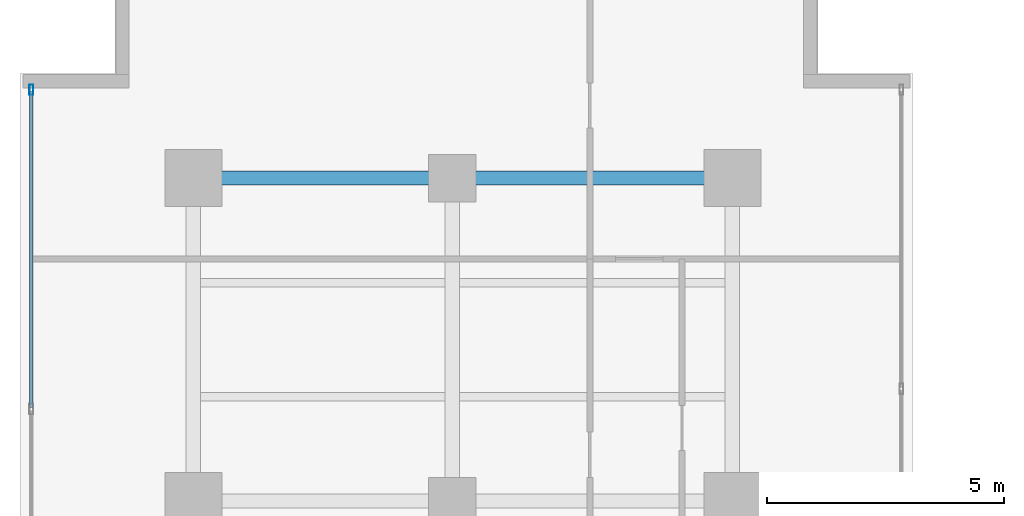
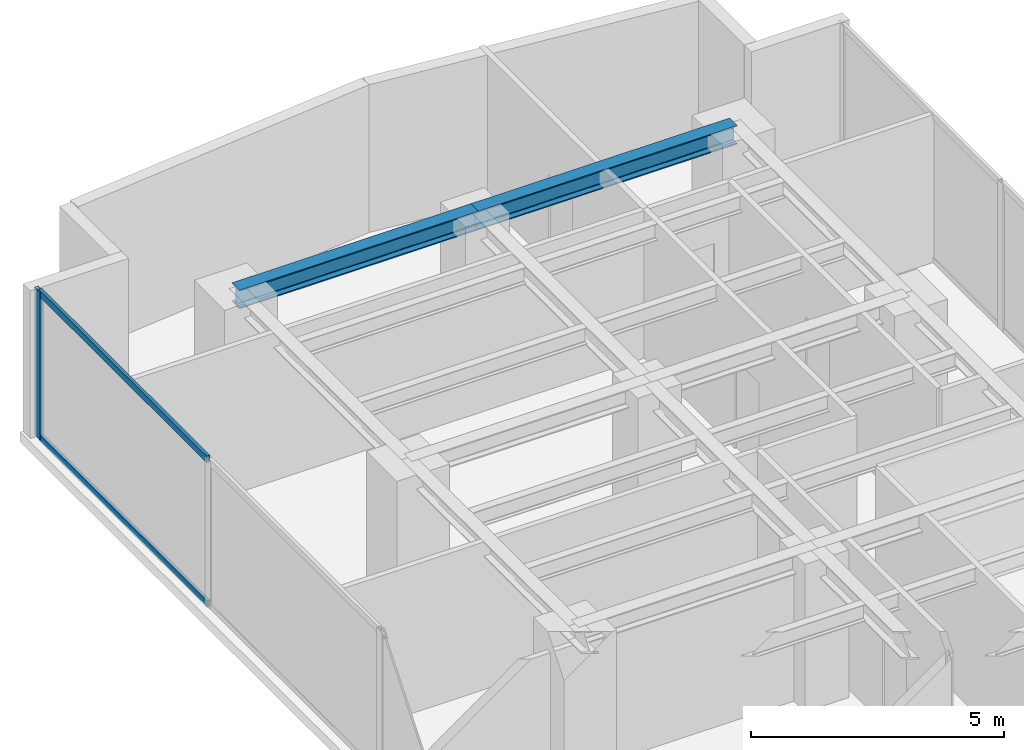
# One storey, part 17 of 27: 3 members, 2 beams, 1 element without a shape of its own.
"""IFC4 building model written with IfcOpenShell, lengths in metres."""

from ifc_helpers import new_model, si_unit, direction, frame, origin, origin_with_axes, origin_2d, place, context, subcontext, project, spatial, hollow_rectangle, i_section, extrude, source, transform, mapped, material, layer, layer_set, material_profile, profile_set, type_object, element, aggregate, save


model = new_model("IFC4")

# Units and contexts
model_context = context("Model", 3, precision=1e-05, world=origin(), true_north=direction((0.0, 1.0)))
body_context = subcontext(model_context, "Body", "Model", "MODEL_VIEW")
ifc_project = project(units=[si_unit("LENGTHUNIT", "METRE"), si_unit("AREAUNIT", "SQUARE_METRE"), si_unit("VOLUMEUNIT", "CUBIC_METRE"), si_unit("PLANEANGLEUNIT", "RADIAN"), si_unit("MASSUNIT", "GRAM", prefix="KILO")], contexts=[model_context])

# Site, building, storey
site_placement = place(None, origin())
site = spatial("IfcSite", under=ifc_project, at=site_placement, CompositionType="ELEMENT")
building_placement = place(site_placement, origin())
building = spatial("IfcBuilding", under=site, at=building_placement, Name="Kolvaren Waterfront Exchange", CompositionType="ELEMENT")
storey_placement = place(building_placement, frame((0.0, 0.0, 161.39990234375)))
storey = spatial("IfcBuildingStorey", under=building, at=storey_placement, Name="L41", CompositionType="ELEMENT", Elevation=161.39990234375)

# Beams
ifc_material_1 = material(Name="Steel S355", Category="steel")
ifc_material_profile_1 = material_profile(ifc_material_1, i_section(OverallWidth=0.300048828125, OverallDepth=0.449951171875, WebThickness=0.013916015625, FlangeThickness=0.02587890625, FilletRadius=0.027099609375, at=origin_2d()), Name="HEB450")
ifc_profile_set_1 = profile_set([ifc_material_profile_1], Name="Steel S355")
beam_type = type_object("IfcBeamType", Name="STR-BM-HEB450", PredefinedType="BEAM", material=ifc_profile_set_1)
beam_1_placement = place(storey_placement, frame((7.449951171875, 44.60009765625, 3.335205078125), z_axis=(1.0, 0.0, 0.0), x_axis=(0.0, 1.0, 0.0)))
element("IfcBeam", 1, at=beam_1_placement, inside=storey, type_object=beam_type, Name="L41 north-arm girder 4A", PredefinedType="BEAM", context=body_context, shape_type="SweptSolid", body=[
    extrude(i_section(OverallWidth=0.300048828125, OverallDepth=0.449951171875, WebThickness=0.013916015625, FlangeThickness=0.02587890625, FilletRadius=0.027099609375, at=origin_2d()), origin(), (0.0, 0.0, 1.0), 5.449951171875),
])
beam_2_placement = place(storey_placement, frame((12.89990234375, 44.60009765625, 3.335205078125), z_axis=(1.0, 0.0, 0.0), x_axis=(0.0, 1.0, 0.0)))
element("IfcBeam", 2, at=beam_2_placement, inside=storey, type_object=beam_type, Name="L41 north-arm girder 4B", PredefinedType="BEAM", context=body_context, shape_type="SweptSolid", body=[
    extrude(i_section(OverallWidth=0.300048828125, OverallDepth=0.449951171875, WebThickness=0.013916015625, FlangeThickness=0.02587890625, FilletRadius=0.027099609375, at=origin_2d()), origin(), (0.0, 0.0, 1.0), 5.900146484375),
])

# Curtain wall, members
ifc_material_2 = material(Name="Anodised aluminium 6063-T6", Category="aluminium")
ifc_layer = layer(ifc_material_2, 0.219970703125, Name="Anodised aluminium 6063-T6")
ifc_layer_set = layer_set([ifc_layer], Name="Anodised aluminium 6063-T6")
curtain_wall_type = type_object("IfcCurtainWallType", Name="ARC-CW-SYS2", PredefinedType="USERDEFINED", material=ifc_layer_set)
curtain_wall_placement = place(storey_placement, origin())
curtain_wall = element("IfcCurtainWall", 3, at=curtain_wall_placement, inside=storey, type_object=curtain_wall_type, Name="L41 stick curtain wall CW2 (CW-L41-W)", ObjectType="STICK CURTAIN WALL", PredefinedType="USERDEFINED")
ifc_material_profile_2 = material_profile(ifc_material_2, hollow_rectangle(XDim=0.080078125, YDim=0.219970703125, WallThickness=0.0048828125, at=origin_2d()), Name="ALU-MUL-220x80x5")
ifc_profile_set_2 = profile_set([ifc_material_profile_2], Name="Anodised aluminium 6063-T6")
member_type_1 = type_object("IfcMemberType", Name="ARC-CWM-220", PredefinedType="MULLION", material=ifc_profile_set_2)
shared_shape_1 = source(origin_with_axes(), body_context, "Body", "SweptSolid", [
    extrude(hollow_rectangle(XDim=0.080078125, YDim=0.219970703125, WallThickness=0.0048828125, at=origin_2d()), origin(), (0.0, 0.0, 1.0), 3.56005859375),
])
member_1_placement = place(storey_placement, frame((4.0400390625, 46.4599609375, 0.0), z_axis=(0.0, 0.0, 1.0), x_axis=(-1.0, 0.0, 0.0)))
member_1 = element("IfcMember", 4, at=member_1_placement, type_object=member_type_1, Name="CW2 mullion 7", PredefinedType="MULLION", context=body_context, shape_type="MappedRepresentation", body=[
    mapped(shared_shape_1, transform((0.0, 0.0, 0.0), x_axis=(1.0, 0.0, 0.0), y_axis=(0.0, 1.0, 0.0), z_axis=(0.0, 0.0, 1.0), scale=1.0)),
])
ifc_material_profile_3 = material_profile(ifc_material_2, hollow_rectangle(XDim=0.074951171875, YDim=0.159912109375, WallThickness=0.00439453125, at=origin_2d()), Name="ALU-TRN-160x75x4.5")
ifc_profile_set_3 = profile_set([ifc_material_profile_3], Name="Anodised aluminium 6063-T6")
member_type_2 = type_object("IfcMemberType", Name="ARC-CWT-160", PredefinedType="USERDEFINED", material=ifc_profile_set_3)
shared_shape_2 = source(origin_with_axes(), body_context, "Body", "SweptSolid", [
    extrude(hollow_rectangle(XDim=0.074951171875, YDim=0.159912109375, WallThickness=0.00439453125, at=origin_2d()), origin(), (0.0, 0.0, 1.0), 6.646484375),
])
member_2_placement = place(storey_placement, frame((4.0400390625, 39.7734375, 0.03759765625), z_axis=(0.0, 1.0, 0.0), x_axis=(-1.0, 0.0, 0.0)))
member_2 = element("IfcMember", 5, at=member_2_placement, type_object=member_type_2, Name="CW2 transom 6.1", ObjectType="TRANSOM", PredefinedType="USERDEFINED", context=body_context, shape_type="MappedRepresentation", body=[
    mapped(shared_shape_2, transform((0.0, 0.0, 0.0), x_axis=(1.0, 0.0, 0.0), y_axis=(0.0, 1.0, 0.0), z_axis=(0.0, 0.0, 1.0), scale=1.0)),
])
member_3_placement = place(storey_placement, frame((4.0400390625, 39.7734375, 3.522705078125), z_axis=(0.0, 1.0, 0.0), x_axis=(-1.0, 0.0, 0.0)))
member_3 = element("IfcMember", 6, at=member_3_placement, type_object=member_type_2, Name="CW2 transom 6.2", ObjectType="TRANSOM", PredefinedType="USERDEFINED", context=body_context, shape_type="MappedRepresentation", body=[
    mapped(shared_shape_2, transform((0.0, 0.0, 0.0), x_axis=(1.0, 0.0, 0.0), y_axis=(0.0, 1.0, 0.0), z_axis=(0.0, 0.0, 1.0), scale=1.0)),
])
aggregate(curtain_wall, [member_1, member_2, member_3])

save(model, "model.ifc")
